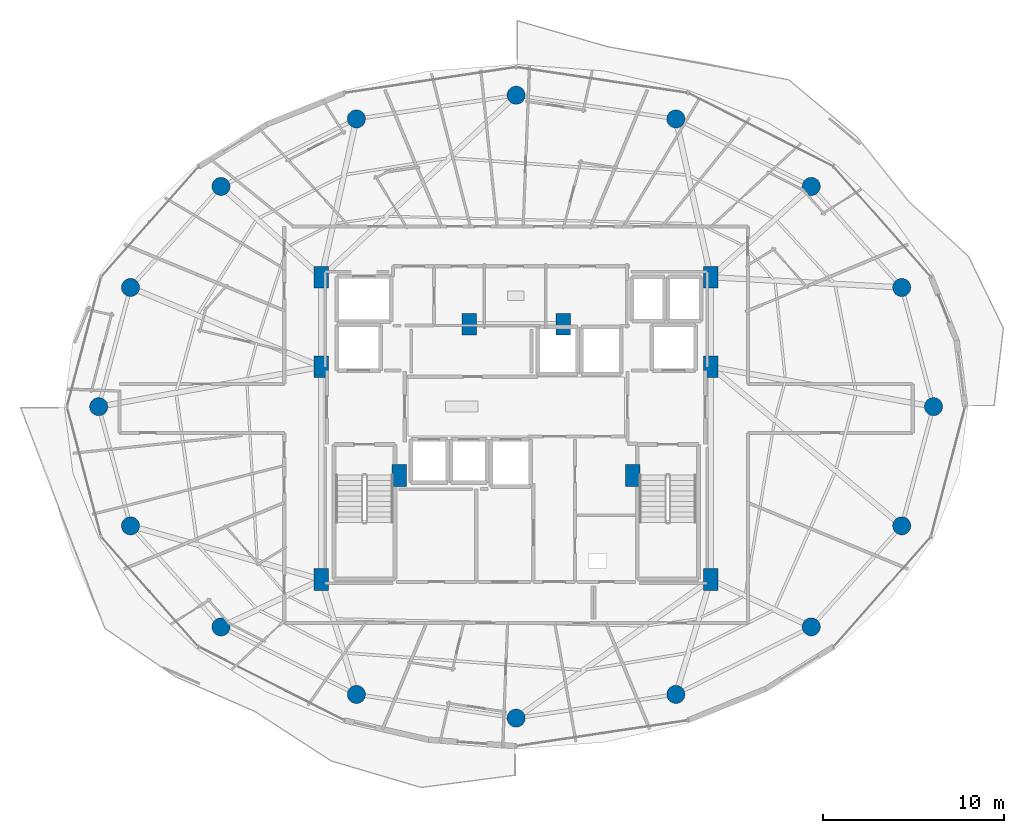
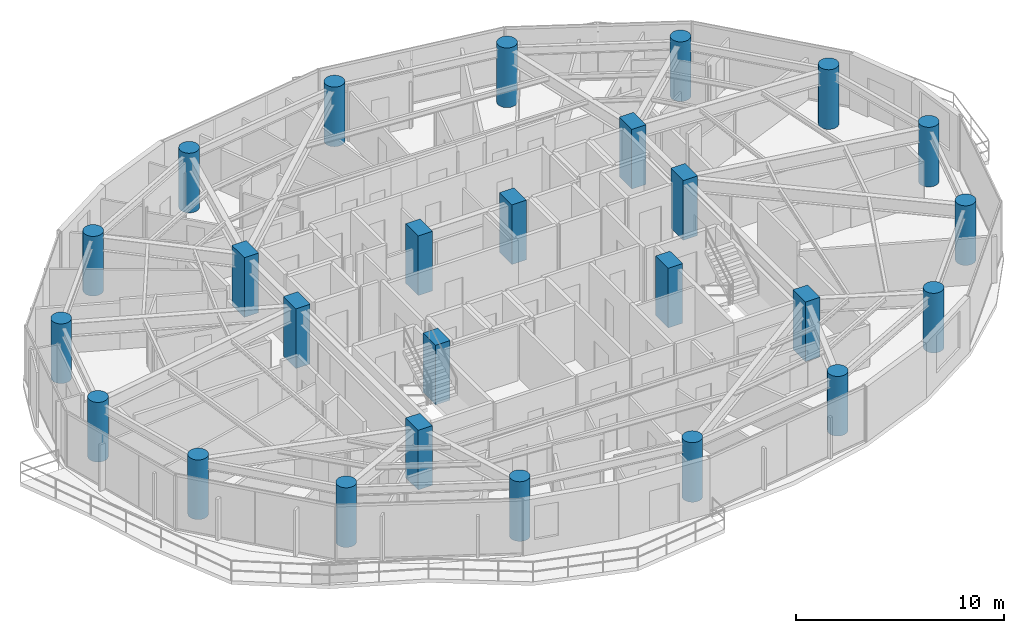
# One storey, part 1 of 28: 26 columns.
"""IFC4 building model written with IfcOpenShell, lengths in metres."""

from ifc_helpers import new_model, si_unit, direction, frame, origin, origin_2d, place, context, subcontext, project, spatial, rectangle, circle, extrude, material, material_profile, profile_set, type_object, element, save


model = new_model("IFC4")

# Units and contexts
model_context = context("Model", 3, precision=1e-05, world=origin(), true_north=direction((0.0, 1.0)))
body_context = subcontext(model_context, "Body", "Model", "MODEL_VIEW")
ifc_project = project(units=[si_unit("LENGTHUNIT", "METRE"), si_unit("AREAUNIT", "SQUARE_METRE"), si_unit("VOLUMEUNIT", "CUBIC_METRE"), si_unit("PLANEANGLEUNIT", "RADIAN"), si_unit("MASSUNIT", "GRAM", prefix="KILO")], contexts=[model_context])

# Site, building, storey
site_placement = place(None, origin())
site = spatial("IfcSite", under=ifc_project, at=site_placement, CompositionType="ELEMENT")
building_placement = place(site_placement, origin())
building = spatial("IfcBuilding", under=site, at=building_placement, Name="Vorneva Point Tower", CompositionType="ELEMENT")
storey_placement = place(building_placement, frame((0.0, 0.0, 139.60009765625)))
storey = spatial("IfcBuildingStorey", under=building, at=storey_placement, Name="L37", CompositionType="ELEMENT", Elevation=139.60009765625)

# Columns
ifc_material = material(Name="Concrete B60 (C50/60)", Category="concrete")
ifc_material_profile_1 = material_profile(ifc_material, circle(Radius=0.5, at=origin_2d()), Name="RC-CIRC 1000")
ifc_profile_set_1 = profile_set([ifc_material_profile_1], Name="Concrete B60 (C50/60)")
column_type_1 = type_object("IfcColumnType", Name="COL-RC1000C", PredefinedType="COLUMN", material=ifc_profile_set_1)
for number, where, z_axis, x_axis, name in (
    (1, (61.050048828125, 26.0, 0.0), (0.0, 0.0, 1.0), (1.0, 0.0, 0.0), "L37 Perimeter Column P01"),
    (2, (59.29541015625, 32.582275390625, 0.0), (0.0, 0.0, 1.0), (0.923879532511, 0.382683432365, 0.0), "L37 Perimeter Column P02"),
    (3, (54.298828125, 38.162109375, 0.0), (0.0, 0.0, 1.0), (0.707106781187, 0.707106781187, 0.0), "L37 Perimeter Column P03"),
    (4, (46.82080078125, 41.890625, 0.0), (0.0, 0.0, 1.0), (0.382683432365, 0.923879532511, 0.0), "L37 Perimeter Column P04"),
    (5, (38.0, 43.199951171875, 0.0), (0.0, 0.0, 1.0), (0.0, 1.0, 0.0), "L37 Perimeter Column P05"),
    (6, (29.17919921875, 41.890625, 0.0), (0.0, 0.0, 1.0), (-0.382683432365, 0.923879532511, 0.0), "L37 Perimeter Column P06"),
    (7, (21.701171875, 38.162109375, 0.0), (0.0, 0.0, 1.0), (-0.707106781187, 0.707106781187, 0.0), "L37 Perimeter Column P07"),
    (8, (16.70458984375, 32.582275390625, 0.0), (0.0, 0.0, 1.0), (-0.923879532511, 0.382683432365, 0.0), "L37 Perimeter Column P08"),
    (9, (14.949951171875, 26.0, 0.0), (0.0, 0.0, 1.0), (-1.0, 0.0, 0.0), "L37 Perimeter Column P09"),
    (10, (16.70458984375, 19.417724609375, 0.0), (0.0, 0.0, 1.0), (-0.923879532511, -0.382683432365, 0.0), "L37 Perimeter Column P10"),
    (11, (21.701171875, 13.837890625, 0.0), (0.0, 0.0, 1.0), (-0.707106781187, -0.707106781187, 0.0), "L37 Perimeter Column P11"),
    (12, (29.17919921875, 10.109375, 0.0), (0.0, 0.0, 1.0), (-0.382683432365, -0.923879532511, 0.0), "L37 Perimeter Column P12"),
    (13, (38.0, 8.800048828125, 0.0), (0.0, 0.0, 1.0), (0.0, -1.0, 0.0), "L37 Perimeter Column P13"),
    (14, (46.82080078125, 10.109375, 0.0), (0.0, 0.0, 1.0), (0.382683432365, -0.923879532511, 0.0), "L37 Perimeter Column P14"),
    (15, (54.298828125, 13.837890625, 0.0), (0.0, 0.0, 1.0), (0.707106781187, -0.707106781187, 0.0), "L37 Perimeter Column P15"),
    (16, (59.29541015625, 19.417724609375, 0.0), (0.0, 0.0, 1.0), (0.923879532511, -0.382683432365, 0.0), "L37 Perimeter Column P16"),
):
    element("IfcColumn", number, at=place(storey_placement, frame(where, z_axis=z_axis, x_axis=x_axis)), inside=storey, type_object=column_type_1, Name=name, PredefinedType="COLUMN", context=body_context, shape_type="SweptSolid", body=[
        extrude(circle(Radius=0.5, at=origin_2d()), origin(), (0.0, 0.0, 1.0), 3.5),
    ])
ifc_material_profile_2 = material_profile(ifc_material, rectangle(XDim=0.800048828125, YDim=1.199951171875, at=origin_2d()), Name="RC-PIL 1200x800")
ifc_profile_set_2 = profile_set([ifc_material_profile_2], Name="Concrete B60 (C50/60)")
column_type_2 = type_object("IfcColumnType", Name="PIL-RC1200x800", PredefinedType="PILASTER", material=ifc_profile_set_2)
for number, where, z_axis, x_axis, name in (
    (17, (27.25, 16.449951171875, 0.0), (0.0, 0.0, 1.0), (1.0, 0.0, 0.0), "L37 Core Pilaster CP1"),
    (18, (27.25, 28.199951171875, 0.0), (0.0, 0.0, 1.0), (1.0, 0.0, 0.0), "L37 Core Pilaster CP2"),
    (19, (27.25, 33.14990234375, 0.0), (0.0, 0.0, 1.0), (1.0, 0.0, 0.0), "L37 Core Pilaster CP3"),
    (20, (31.550048828125, 22.199951171875, 0.0), (0.0, 0.0, 1.0), (1.0, 0.0, 0.0), "L37 Core Pilaster CP4"),
    (21, (48.75, 33.14990234375, 0.0), (0.0, 0.0, 1.0), (1.0, 0.0, 0.0), "L37 Core Pilaster CP5"),
    (22, (48.75, 28.199951171875, 0.0), (0.0, 0.0, 1.0), (1.0, 0.0, 0.0), "L37 Core Pilaster CP6"),
    (23, (48.75, 16.449951171875, 0.0), (0.0, 0.0, 1.0), (1.0, 0.0, 0.0), "L37 Core Pilaster CP7"),
    (24, (44.449951171875, 22.199951171875, 0.0), (0.0, 0.0, 1.0), (1.0, 0.0, 0.0), "L37 Core Pilaster CP8"),
    (25, (35.39990234375, 30.550048828125, 0.0), (0.0, 0.0, 1.0), (1.0, 0.0, 0.0), "L37 Core Pilaster CP9"),
    (26, (40.60009765625, 30.550048828125, 0.0), (0.0, 0.0, 1.0), (1.0, 0.0, 0.0), "L37 Core Pilaster CP10"),
):
    element("IfcColumn", number, at=place(storey_placement, frame(where, z_axis=z_axis, x_axis=x_axis)), inside=storey, type_object=column_type_2, Name=name, PredefinedType="PILASTER", context=body_context, shape_type="SweptSolid", body=[
        extrude(rectangle(XDim=0.800048828125, YDim=1.199951171875, at=origin_2d()), origin(), (0.0, 0.0, 1.0), 3.5),
    ])

save(model, "model.ifc")
